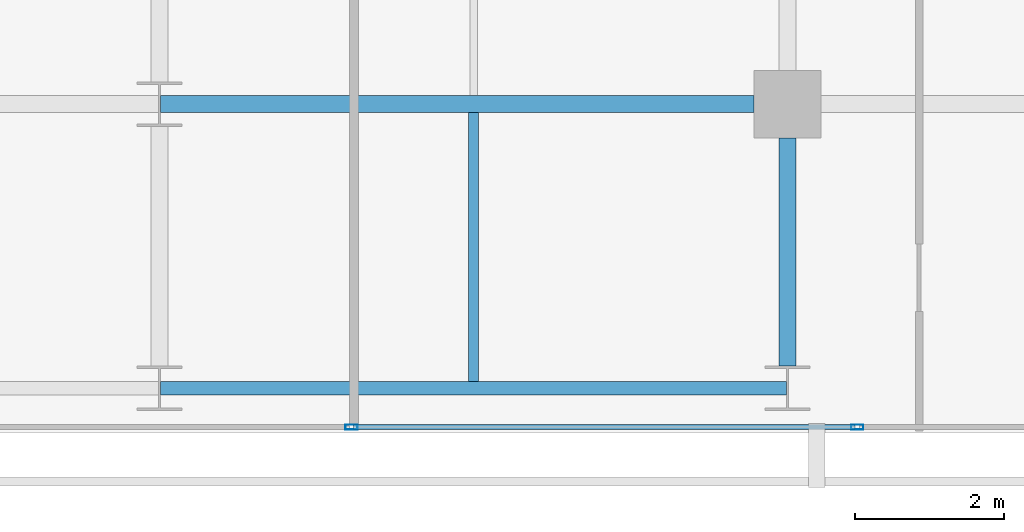
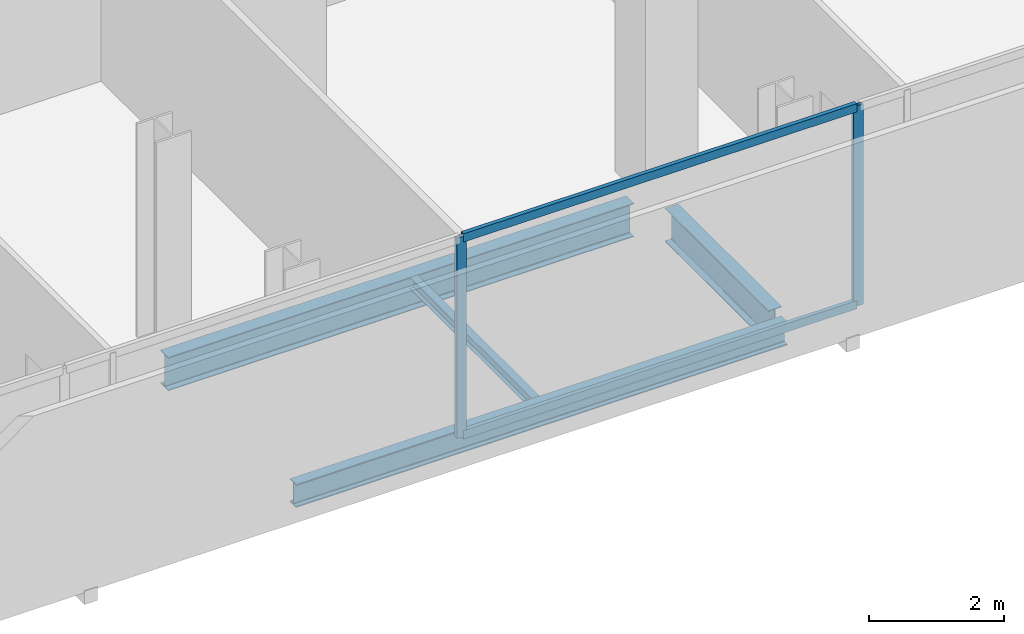
# One storey, part 12 of 32: 4 beams, 4 members, 1 element without a shape of its own.
"""IFC4 building model written with IfcOpenShell, lengths in metres."""

from ifc_helpers import new_model, si_unit, direction, frame, origin, origin_2d, place, context, subcontext, project, spatial, hollow_rectangle, i_section, extrude, material, layer, layer_set, material_profile, profile_set, type_object, element, aggregate, save


model = new_model("IFC4")

# Units and contexts
model_context = context("Model", 3, precision=1e-05, world=origin(), true_north=direction((0.0, 1.0)))
body_context = subcontext(model_context, "Body", "Model", "MODEL_VIEW")
ifc_project = project(units=[si_unit("LENGTHUNIT", "METRE"), si_unit("AREAUNIT", "SQUARE_METRE"), si_unit("VOLUMEUNIT", "CUBIC_METRE"), si_unit("PLANEANGLEUNIT", "RADIAN"), si_unit("MASSUNIT", "GRAM", prefix="KILO")], contexts=[model_context])

# Site, building, storey
site_placement = place(None, origin())
site = spatial("IfcSite", under=ifc_project, at=site_placement, CompositionType="ELEMENT")
building_placement = place(site_placement, origin())
building = spatial("IfcBuilding", under=site, at=building_placement, Name="Maruvema Waterfront Hotel and Observation Tower", CompositionType="ELEMENT")
storey_placement = place(building_placement, frame((0.0, 0.0, 162.050048828125)))
storey = spatial("IfcBuildingStorey", under=building, at=storey_placement, Name="L39", CompositionType="ELEMENT", Elevation=162.050048828125)

# Curtain wall, members
ifc_material_1 = material(Name="Anodised bronze aluminium and solar-control low-E IGU", Category="aluminium")
ifc_layer = layer(ifc_material_1, 0.159912109375, Name="Zone 2 Amber Inner Thermal Curtain Wall System CW-03")
ifc_layer_set = layer_set([ifc_layer], Name="Anodised bronze aluminium and solar-control low-E IGU")
curtain_wall_type = type_object("IfcCurtainWallType", Name="Zone 2 Amber Inner Thermal Curtain Wall System CW-03", PredefinedType="USERDEFINED", material=ifc_layer_set)
curtain_wall_placement = place(storey_placement, origin())
curtain_wall = element("IfcCurtainWall", 1, at=curtain_wall_placement, inside=storey, type_object=curtain_wall_type, Name="L39 Curtain Wall CW-L39-S", ObjectType="UNITISED CURTAIN WALL", PredefinedType="USERDEFINED")
ifc_material_2 = material(Name="Anodised architectural bronze aluminium", Category="aluminium")
ifc_material_profile_1 = material_profile(ifc_material_2, hollow_rectangle(XDim=0.070068359375, YDim=0.14990234375, WallThickness=0.00390625, at=origin_2d()), Name="ALU-T70x150")
ifc_profile_set_1 = profile_set([ifc_material_profile_1], Name="Anodised architectural bronze aluminium")
member_type_1 = type_object("IfcMemberType", Name="Curtain Wall Horizontal Transom ALU-T70x150", PredefinedType="USERDEFINED", material=ifc_profile_set_1)
member_1_placement = place(storey_placement, frame((44.5966796875, 4.679931640625, 0.030029296875), z_axis=(1.0, 0.0, 0.0), x_axis=(0.0, 1.0, 0.0)))
member_1 = element("IfcMember", 2, at=member_1_placement, type_object=member_type_1, Name="CW-03 transom 5.1", ObjectType="TRANSOM", PredefinedType="USERDEFINED", context=body_context, shape_type="SweptSolid", body=[
    extrude(hollow_rectangle(XDim=0.070068359375, YDim=0.14990234375, WallThickness=0.00390625, at=origin_2d()), origin(), (0.0, 0.0, 1.0), 6.70654296875),
])
member_2_placement = place(storey_placement, frame((44.5966796875, 4.679931640625, 3.579833984375), z_axis=(1.0, 0.0, 0.0), x_axis=(0.0, 1.0, 0.0)))
member_2 = element("IfcMember", 3, at=member_2_placement, type_object=member_type_1, Name="CW-03 transom 5.2", ObjectType="TRANSOM", PredefinedType="USERDEFINED", context=body_context, shape_type="SweptSolid", body=[
    extrude(hollow_rectangle(XDim=0.070068359375, YDim=0.14990234375, WallThickness=0.00390625, at=origin_2d()), origin(), (0.0, 0.0, 1.0), 6.70654296875),
])
ifc_material_3 = material(Name="Anodised architectural bronze aluminium", Category="aluminium")
ifc_material_profile_2 = material_profile(ifc_material_3, hollow_rectangle(XDim=0.06494140625, YDim=0.1650390625, WallThickness=0.00390625, at=origin_2d()), Name="ALU-M65x165")
ifc_profile_set_2 = profile_set([ifc_material_profile_2], Name="Anodised architectural bronze aluminium")
member_type_2 = type_object("IfcMemberType", Name="Curtain Wall Primary Mullion ALU-M65x165", PredefinedType="MULLION", material=ifc_profile_set_2)
member_3_placement = place(storey_placement, frame((44.566650390625, 4.679931640625, 0.0), z_axis=(0.0, 0.0, 1.0), x_axis=(0.0, 1.0, 0.0)))
member_3 = element("IfcMember", 4, at=member_3_placement, type_object=member_type_2, Name="CW-03 mullion 5", PredefinedType="MULLION", context=body_context, shape_type="SweptSolid", body=[
    extrude(hollow_rectangle(XDim=0.06494140625, YDim=0.1650390625, WallThickness=0.00390625, at=origin_2d()), origin(), (0.0, 0.0, 1.0), 3.60986328125),
])
member_4_placement = place(storey_placement, frame((51.333251953125, 4.679931640625, 0.0), z_axis=(0.0, 0.0, 1.0), x_axis=(0.0, 1.0, 0.0)))
member_4 = element("IfcMember", 5, at=member_4_placement, type_object=member_type_2, Name="CW-03 mullion 6", PredefinedType="MULLION", context=body_context, shape_type="SweptSolid", body=[
    extrude(hollow_rectangle(XDim=0.06494140625, YDim=0.1650390625, WallThickness=0.00390625, at=origin_2d()), origin(), (0.0, 0.0, 1.0), 3.60986328125),
])
aggregate(curtain_wall, [member_3, member_4, member_1, member_2])

# Beams
ifc_material_4 = material(Name="Steel ASTM A572 Grade 50", Category="steel")
ifc_material_profile_3 = material_profile(ifc_material_4, i_section(OverallWidth=0.180908203125, OverallDepth=0.4169921875, WebThickness=0.010986328125, FlangeThickness=0.018310546875, FilletRadius=0.014892578125, at=origin_2d()), Name="W410x85.0")
ifc_profile_set_3 = profile_set([ifc_material_profile_3], Name="Steel ASTM A572 Grade 50")
beam_type_1 = type_object("IfcBeamType", Name="Perimeter Spandrel Beam W410x85.0", PredefinedType="SPANDREL", material=ifc_profile_set_3)
beam_1_placement = place(storey_placement, frame((42.012451171875, 5.199951171875, -0.448486328125), z_axis=(1.0, 0.0, 0.0), x_axis=(0.0, 1.0, 0.0)))
element("IfcBeam", 6, at=beam_1_placement, inside=storey, type_object=beam_type_1, Name="L39 Floor Girder EW-03", PredefinedType="SPANDREL", context=body_context, shape_type="SweptSolid", body=[
    extrude(i_section(OverallWidth=0.180908203125, OverallDepth=0.4169921875, WebThickness=0.010986328125, FlangeThickness=0.018310546875, FilletRadius=0.014892578125, at=origin_2d()), origin(), (0.0, 0.0, 1.0), 8.375),
])
ifc_material_5 = material(Name="Steel ASTM A572 Grade 50", Category="steel")
ifc_material_profile_4 = material_profile(ifc_material_5, i_section(OverallWidth=0.22802734375, OverallDepth=0.60302734375, WebThickness=0.010498046875, FlangeThickness=0.014892578125, FilletRadius=0.01806640625, at=origin_2d()), Name="W610x101.0")
ifc_profile_set_4 = profile_set([ifc_material_profile_4], Name="Steel ASTM A572 Grade 50")
beam_type_2 = type_object("IfcBeamType", Name="Primary Floor Girder W610x101.0", PredefinedType="BEAM", material=ifc_profile_set_4)
beam_2_placement = place(storey_placement, frame((42.012451171875, 9.0, -0.54150390625), z_axis=(1.0, 0.0, 0.0), x_axis=(0.0, 1.0, 0.0)))
element("IfcBeam", 7, at=beam_2_placement, inside=storey, type_object=beam_type_2, Name="L39 Floor Girder EW-08", PredefinedType="BEAM", context=body_context, shape_type="SweptSolid", body=[
    extrude(i_section(OverallWidth=0.22802734375, OverallDepth=0.60302734375, WebThickness=0.010498046875, FlangeThickness=0.014892578125, FilletRadius=0.01806640625, at=origin_2d()), origin(), (0.0, 0.0, 1.0), 7.9375),
])
beam_3_placement = place(storey_placement, frame((50.39990234375, 5.5, -0.54150390625), z_axis=(0.0, 1.0, 0.0), x_axis=(-1.0, 0.0, 0.0)))
element("IfcBeam", 8, at=beam_3_placement, inside=storey, type_object=beam_type_2, Name="L39 Floor Girder NS-20", PredefinedType="BEAM", context=body_context, shape_type="SweptSolid", body=[
    extrude(i_section(OverallWidth=0.22802734375, OverallDepth=0.60302734375, WebThickness=0.010498046875, FlangeThickness=0.014892578125, FilletRadius=0.01806640625, at=origin_2d()), origin(), (0.0, 0.0, 1.0), 3.050048828125),
])
ifc_material_6 = material(Name="Steel ASTM A572 Grade 50", Category="steel")
ifc_material_profile_5 = material_profile(ifc_material_6, i_section(OverallWidth=0.133056640625, OverallDepth=0.20703125, WebThickness=0.005859375, FlangeThickness=0.00830078125, FilletRadius=0.010009765625, at=origin_2d()), Name="W200x26.6")
ifc_profile_set_5 = profile_set([ifc_material_profile_5], Name="Steel ASTM A572 Grade 50")
beam_type_3 = type_object("IfcBeamType", Name="Secondary Floor Joist W200x26.6", PredefinedType="JOIST", material=ifc_profile_set_5)
beam_4_placement = place(storey_placement, frame((46.199951171875, 5.29052734375, -0.343505859375), z_axis=(0.0, 1.0, 0.0), x_axis=(-1.0, 0.0, 0.0)))
element("IfcBeam", 9, at=beam_4_placement, inside=storey, type_object=beam_type_3, Name="L39 Secondary Floor Joist JS-09", PredefinedType="JOIST", context=body_context, shape_type="SweptSolid", body=[
    extrude(i_section(OverallWidth=0.133056640625, OverallDepth=0.20703125, WebThickness=0.005859375, FlangeThickness=0.00830078125, FilletRadius=0.010009765625, at=origin_2d()), origin(), (0.0, 0.0, 1.0), 3.595458984375),
])

save(model, "model.ifc")
